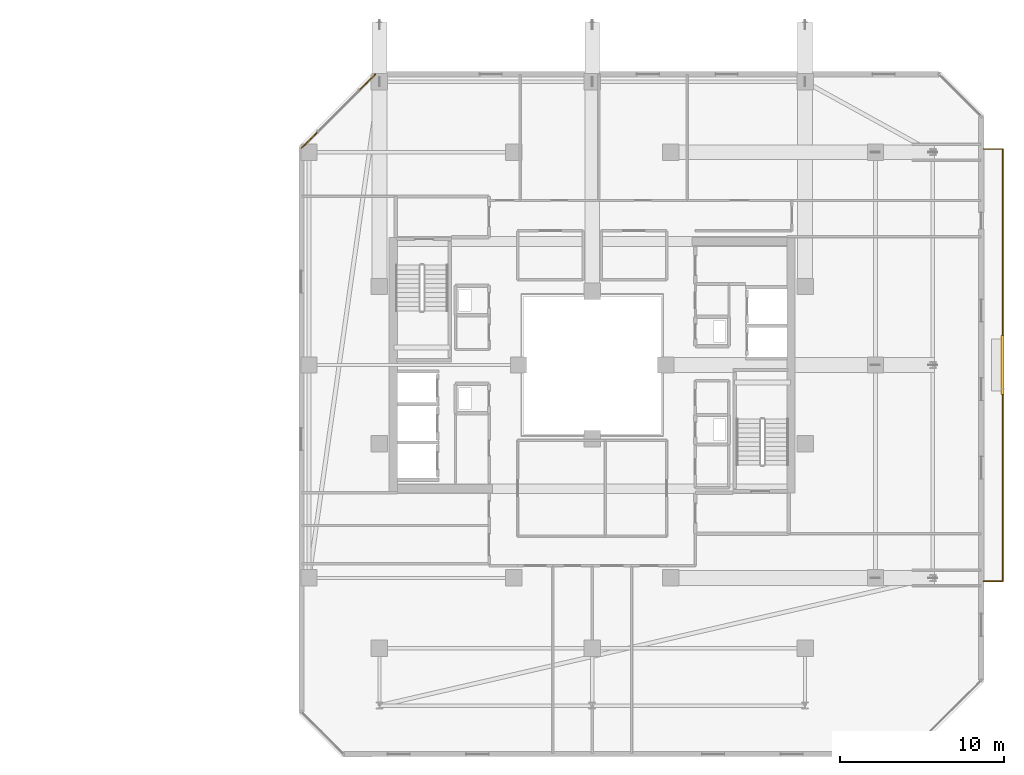
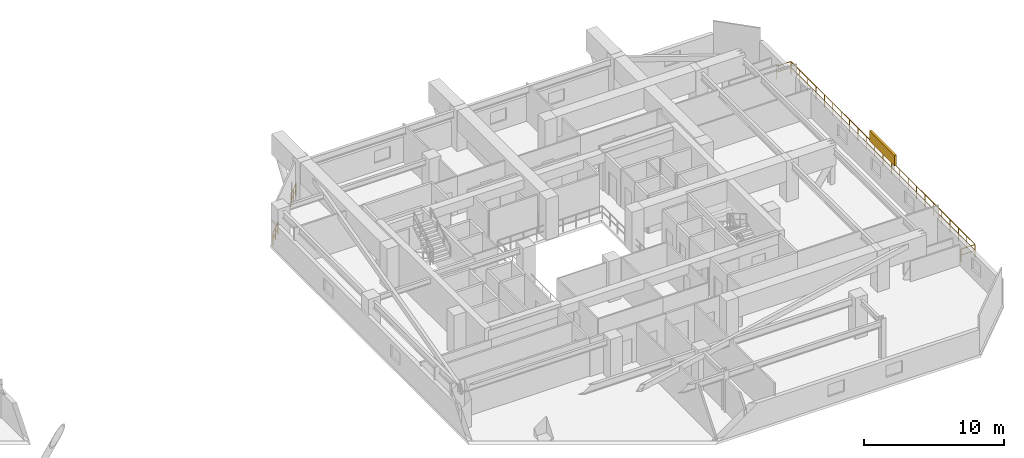
# One storey, part 34 of 34: 3 railings, 1 shading device.
"""IFC4 building model written with IfcOpenShell, lengths in metres."""

from ifc_helpers import new_model, si_unit, direction, frame, origin, origin_2d, place, context, subcontext, project, spatial, rectangle, extrude, material, type_object, element, save


model = new_model("IFC4")

# Units and contexts
model_context = context("Model", 3, precision=1e-05, world=origin(), true_north=direction((0.0, 1.0)))
body_context = subcontext(model_context, "Body", "Model", "MODEL_VIEW")
ifc_project = project(units=[si_unit("LENGTHUNIT", "METRE"), si_unit("AREAUNIT", "SQUARE_METRE"), si_unit("VOLUMEUNIT", "CUBIC_METRE"), si_unit("PLANEANGLEUNIT", "RADIAN"), si_unit("MASSUNIT", "GRAM", prefix="KILO")], contexts=[model_context])

# Site, building, storey
site_placement = place(None, origin())
site = spatial("IfcSite", under=ifc_project, at=site_placement, CompositionType="ELEMENT")
building_placement = place(site_placement, origin())
building = spatial("IfcBuilding", under=site, at=building_placement, Name="Thornwick Lancets Civic Towers", CompositionType="ELEMENT")
storey_placement = place(building_placement, frame((0.0, 0.0, 251.10009765625)))
storey = spatial("IfcBuildingStorey", under=building, at=storey_placement, Name="L67", CompositionType="ELEMENT", Elevation=251.10009765625)

# Railings
ifc_material_1 = material(Name="Terracotta-capped laminated glass balustrade S355", Category="masonry")
railing_type = type_object("IfcRailingType", Name="RAIL_TERR_GUARD", PredefinedType="GUARDRAIL", material=ifc_material_1)
for number, where, name in (
    (1, (75.2490234375, 44.75830078125, 0.0), "L67 Tower B Chamfer Spandrel Guard E5-1"),
    (2, (71.729248046875, 41.238525390625, 0.0), "L67 Tower B Chamfer Spandrel Guard E5-2"),
):
    element("IfcRailing", number, at=place(storey_placement, frame(where)), inside=storey, type_object=railing_type, Name=name, PredefinedType="GUARDRAIL", context=body_context, shape_type="SweptSolid", body=[
        extrude(rectangle(XDim=0.048095703125, YDim=0.048095703125, at=origin_2d()), frame((0.0, 0.0, 1.1259765625), z_axis=(-0.707106781187, -0.707106781187, 0.0), x_axis=(0.707106781187, -0.707106781187, 0.0)), (0.0, 0.0, 1.0), 1.396484375),
        extrude(rectangle(XDim=0.0419921875, YDim=0.0419921875, at=origin_2d()), frame((-0.026611328125, -0.026611328125, 0.597900390625), z_axis=(-0.707106781187, -0.707106781187, 0.0), x_axis=(0.707106781187, -0.707106781187, 0.0)), (0.0, 0.0, 1.0), 0.623291015625),
        extrude(rectangle(XDim=0.0419921875, YDim=0.0419921875, at=origin_2d()), frame((-0.520263671875, -0.520263671875, 0.597900390625), z_axis=(-0.707106781187, -0.707106781187, 0.0), x_axis=(0.707106781187, -0.707106781187, 0.0)), (0.0, 0.0, 1.0), 0.623291015625),
        extrude(rectangle(XDim=0.0419921875, YDim=0.0419921875, at=origin_2d()), origin(), (0.0, 0.0, 1.0), 1.095703125),
        extrude(rectangle(XDim=0.0419921875, YDim=0.0419921875, at=origin_2d()), frame((-0.49365234375, -0.49365234375, 0.0)), (0.0, 0.0, 1.0), 1.095703125),
        extrude(rectangle(XDim=0.0419921875, YDim=0.0419921875, at=origin_2d()), frame((-0.987548828125, -0.987548828125, 0.0)), (0.0, 0.0, 1.0), 1.095703125),
    ])
railing_placement = place(storey_placement, frame((112.39990234375, 13.800048828125, 0.0)))
element("IfcRailing", 3, at=railing_placement, inside=storey, type_object=railing_type, Name="L67 Tower B Balcony Guard E", PredefinedType="GUARDRAIL", context=body_context, shape_type="SweptSolid", body=[
    extrude(rectangle(XDim=0.048095703125, YDim=0.048095703125, at=origin_2d()), frame((0.0, 0.0, 1.1259765625), z_axis=(1.0, 0.0, 0.0), x_axis=(0.0, 1.0, 0.0)), (0.0, 0.0, 1.0), 1.138916015625),
    extrude(rectangle(XDim=0.0419921875, YDim=0.0419921875, at=origin_2d()), frame((0.03759765625, 0.0, 0.597900390625), z_axis=(1.0, 0.0, 0.0), x_axis=(0.0, 1.0, 0.0)), (0.0, 0.0, 1.0), 1.09521484375),
    extrude(rectangle(XDim=0.048095703125, YDim=0.048095703125, at=origin_2d()), frame((1.170166015625, 0.03125, 1.1259765625), z_axis=(0.0, 1.0, 0.0), x_axis=(-1.0, 0.0, 0.0)), (0.0, 0.0, 1.0), 26.33740234375),
    extrude(rectangle(XDim=0.0419921875, YDim=0.0419921875, at=origin_2d()), frame((1.170166015625, 0.03759765625, 0.597900390625), z_axis=(0.0, 1.0, 0.0), x_axis=(-1.0, 0.0, 0.0)), (0.0, 0.0, 1.0), 1.125),
    extrude(rectangle(XDim=0.0419921875, YDim=0.0419921875, at=origin_2d()), frame((1.170166015625, 1.237548828125, 0.597900390625), z_axis=(0.0, 1.0, 0.0), x_axis=(-1.0, 0.0, 0.0)), (0.0, 0.0, 1.0), 1.125),
    extrude(rectangle(XDim=0.0419921875, YDim=0.0419921875, at=origin_2d()), frame((1.170166015625, 2.4375, 0.597900390625), z_axis=(0.0, 1.0, 0.0), x_axis=(-1.0, 0.0, 0.0)), (0.0, 0.0, 1.0), 1.125),
    extrude(rectangle(XDim=0.0419921875, YDim=0.0419921875, at=origin_2d()), frame((1.170166015625, 3.637451171875, 0.597900390625), z_axis=(0.0, 1.0, 0.0), x_axis=(-1.0, 0.0, 0.0)), (0.0, 0.0, 1.0), 1.125),
    extrude(rectangle(XDim=0.0419921875, YDim=0.0419921875, at=origin_2d()), frame((1.170166015625, 4.83740234375, 0.597900390625), z_axis=(0.0, 1.0, 0.0), x_axis=(-1.0, 0.0, 0.0)), (0.0, 0.0, 1.0), 1.125),
    extrude(rectangle(XDim=0.0419921875, YDim=0.0419921875, at=origin_2d()), frame((1.170166015625, 6.037353515625, 0.597900390625), z_axis=(0.0, 1.0, 0.0), x_axis=(-1.0, 0.0, 0.0)), (0.0, 0.0, 1.0), 1.125),
    extrude(rectangle(XDim=0.0419921875, YDim=0.0419921875, at=origin_2d()), frame((1.170166015625, 7.237548828125, 0.597900390625), z_axis=(0.0, 1.0, 0.0), x_axis=(-1.0, 0.0, 0.0)), (0.0, 0.0, 1.0), 1.125),
    extrude(rectangle(XDim=0.0419921875, YDim=0.0419921875, at=origin_2d()), frame((1.170166015625, 8.4375, 0.597900390625), z_axis=(0.0, 1.0, 0.0), x_axis=(-1.0, 0.0, 0.0)), (0.0, 0.0, 1.0), 1.125),
    extrude(rectangle(XDim=0.0419921875, YDim=0.0419921875, at=origin_2d()), frame((1.170166015625, 9.637451171875, 0.597900390625), z_axis=(0.0, 1.0, 0.0), x_axis=(-1.0, 0.0, 0.0)), (0.0, 0.0, 1.0), 1.125),
    extrude(rectangle(XDim=0.0419921875, YDim=0.0419921875, at=origin_2d()), frame((1.170166015625, 10.83740234375, 0.597900390625), z_axis=(0.0, 1.0, 0.0), x_axis=(-1.0, 0.0, 0.0)), (0.0, 0.0, 1.0), 1.125),
    extrude(rectangle(XDim=0.0419921875, YDim=0.0419921875, at=origin_2d()), frame((1.170166015625, 12.037353515625, 0.597900390625), z_axis=(0.0, 1.0, 0.0), x_axis=(-1.0, 0.0, 0.0)), (0.0, 0.0, 1.0), 1.125),
    extrude(rectangle(XDim=0.0419921875, YDim=0.0419921875, at=origin_2d()), frame((1.170166015625, 13.237548828125, 0.597900390625), z_axis=(0.0, 1.0, 0.0), x_axis=(-1.0, 0.0, 0.0)), (0.0, 0.0, 1.0), 1.125),
    extrude(rectangle(XDim=0.0419921875, YDim=0.0419921875, at=origin_2d()), frame((1.170166015625, 14.4375, 0.597900390625), z_axis=(0.0, 1.0, 0.0), x_axis=(-1.0, 0.0, 0.0)), (0.0, 0.0, 1.0), 1.125),
    extrude(rectangle(XDim=0.0419921875, YDim=0.0419921875, at=origin_2d()), frame((1.170166015625, 15.637451171875, 0.597900390625), z_axis=(0.0, 1.0, 0.0), x_axis=(-1.0, 0.0, 0.0)), (0.0, 0.0, 1.0), 1.125),
    extrude(rectangle(XDim=0.0419921875, YDim=0.0419921875, at=origin_2d()), frame((1.170166015625, 16.83740234375, 0.597900390625), z_axis=(0.0, 1.0, 0.0), x_axis=(-1.0, 0.0, 0.0)), (0.0, 0.0, 1.0), 1.125),
    extrude(rectangle(XDim=0.0419921875, YDim=0.0419921875, at=origin_2d()), frame((1.170166015625, 18.037353515625, 0.597900390625), z_axis=(0.0, 1.0, 0.0), x_axis=(-1.0, 0.0, 0.0)), (0.0, 0.0, 1.0), 1.125),
    extrude(rectangle(XDim=0.0419921875, YDim=0.0419921875, at=origin_2d()), frame((1.170166015625, 19.2373046875, 0.597900390625), z_axis=(0.0, 1.0, 0.0), x_axis=(-1.0, 0.0, 0.0)), (0.0, 0.0, 1.0), 1.125),
    extrude(rectangle(XDim=0.0419921875, YDim=0.0419921875, at=origin_2d()), frame((1.170166015625, 20.4375, 0.597900390625), z_axis=(0.0, 1.0, 0.0), x_axis=(-1.0, 0.0, 0.0)), (0.0, 0.0, 1.0), 1.125),
    extrude(rectangle(XDim=0.0419921875, YDim=0.0419921875, at=origin_2d()), frame((1.170166015625, 21.637451171875, 0.597900390625), z_axis=(0.0, 1.0, 0.0), x_axis=(-1.0, 0.0, 0.0)), (0.0, 0.0, 1.0), 1.125),
    extrude(rectangle(XDim=0.0419921875, YDim=0.0419921875, at=origin_2d()), frame((1.170166015625, 22.83740234375, 0.597900390625), z_axis=(0.0, 1.0, 0.0), x_axis=(-1.0, 0.0, 0.0)), (0.0, 0.0, 1.0), 1.125),
    extrude(rectangle(XDim=0.0419921875, YDim=0.0419921875, at=origin_2d()), frame((1.170166015625, 24.037353515625, 0.597900390625), z_axis=(0.0, 1.0, 0.0), x_axis=(-1.0, 0.0, 0.0)), (0.0, 0.0, 1.0), 1.125),
    extrude(rectangle(XDim=0.0419921875, YDim=0.0419921875, at=origin_2d()), frame((1.170166015625, 25.2373046875, 0.597900390625), z_axis=(0.0, 1.0, 0.0), x_axis=(-1.0, 0.0, 0.0)), (0.0, 0.0, 1.0), 1.125),
    extrude(rectangle(XDim=0.048095703125, YDim=0.048095703125, at=origin_2d()), frame((1.138916015625, 26.39990234375, 1.1259765625), z_axis=(-1.0, 0.0, 0.0), x_axis=(0.0, -1.0, 0.0)), (0.0, 0.0, 1.0), 1.138916015625),
    extrude(rectangle(XDim=0.0419921875, YDim=0.0419921875, at=origin_2d()), frame((1.132568359375, 26.39990234375, 0.597900390625), z_axis=(-1.0, 0.0, 0.0), x_axis=(0.0, -1.0, 0.0)), (0.0, 0.0, 1.0), 1.09521484375),
    extrude(rectangle(XDim=0.0419921875, YDim=0.0419921875, at=origin_2d()), origin(), (0.0, 0.0, 1.0), 1.095703125),
    extrude(rectangle(XDim=0.0419921875, YDim=0.0419921875, at=origin_2d()), frame((1.170166015625, 0.0, 0.0)), (0.0, 0.0, 1.0), 1.095703125),
    extrude(rectangle(XDim=0.0419921875, YDim=0.0419921875, at=origin_2d()), frame((1.170166015625, 1.199951171875, 0.0)), (0.0, 0.0, 1.0), 1.095703125),
    extrude(rectangle(XDim=0.0419921875, YDim=0.0419921875, at=origin_2d()), frame((1.170166015625, 2.39990234375, 0.0)), (0.0, 0.0, 1.0), 1.095703125),
    extrude(rectangle(XDim=0.0419921875, YDim=0.0419921875, at=origin_2d()), frame((1.170166015625, 3.60009765625, 0.0)), (0.0, 0.0, 1.0), 1.095703125),
    extrude(rectangle(XDim=0.0419921875, YDim=0.0419921875, at=origin_2d()), frame((1.170166015625, 4.800048828125, 0.0)), (0.0, 0.0, 1.0), 1.095703125),
    extrude(rectangle(XDim=0.0419921875, YDim=0.0419921875, at=origin_2d()), frame((1.170166015625, 6.0, 0.0)), (0.0, 0.0, 1.0), 1.095703125),
    extrude(rectangle(XDim=0.0419921875, YDim=0.0419921875, at=origin_2d()), frame((1.170166015625, 7.199951171875, 0.0)), (0.0, 0.0, 1.0), 1.095703125),
    extrude(rectangle(XDim=0.0419921875, YDim=0.0419921875, at=origin_2d()), frame((1.170166015625, 8.39990234375, 0.0)), (0.0, 0.0, 1.0), 1.095703125),
    extrude(rectangle(XDim=0.0419921875, YDim=0.0419921875, at=origin_2d()), frame((1.170166015625, 9.599853515625, 0.0)), (0.0, 0.0, 1.0), 1.095703125),
    extrude(rectangle(XDim=0.0419921875, YDim=0.0419921875, at=origin_2d()), frame((1.170166015625, 10.800048828125, 0.0)), (0.0, 0.0, 1.0), 1.095703125),
    extrude(rectangle(XDim=0.0419921875, YDim=0.0419921875, at=origin_2d()), frame((1.170166015625, 12.0, 0.0)), (0.0, 0.0, 1.0), 1.095703125),
    extrude(rectangle(XDim=0.0419921875, YDim=0.0419921875, at=origin_2d()), frame((1.170166015625, 13.199951171875, 0.0)), (0.0, 0.0, 1.0), 1.095703125),
    extrude(rectangle(XDim=0.0419921875, YDim=0.0419921875, at=origin_2d()), frame((1.170166015625, 14.39990234375, 0.0)), (0.0, 0.0, 1.0), 1.095703125),
    extrude(rectangle(XDim=0.0419921875, YDim=0.0419921875, at=origin_2d()), frame((1.170166015625, 15.599853515625, 0.0)), (0.0, 0.0, 1.0), 1.095703125),
    extrude(rectangle(XDim=0.0419921875, YDim=0.0419921875, at=origin_2d()), frame((1.170166015625, 16.800048828125, 0.0)), (0.0, 0.0, 1.0), 1.095703125),
    extrude(rectangle(XDim=0.0419921875, YDim=0.0419921875, at=origin_2d()), frame((1.170166015625, 18.0, 0.0)), (0.0, 0.0, 1.0), 1.095703125),
    extrude(rectangle(XDim=0.0419921875, YDim=0.0419921875, at=origin_2d()), frame((1.170166015625, 19.199951171875, 0.0)), (0.0, 0.0, 1.0), 1.095703125),
    extrude(rectangle(XDim=0.0419921875, YDim=0.0419921875, at=origin_2d()), frame((1.170166015625, 20.39990234375, 0.0)), (0.0, 0.0, 1.0), 1.095703125),
    extrude(rectangle(XDim=0.0419921875, YDim=0.0419921875, at=origin_2d()), frame((1.170166015625, 21.599853515625, 0.0)), (0.0, 0.0, 1.0), 1.095703125),
    extrude(rectangle(XDim=0.0419921875, YDim=0.0419921875, at=origin_2d()), frame((1.170166015625, 22.7998046875, 0.0)), (0.0, 0.0, 1.0), 1.095703125),
    extrude(rectangle(XDim=0.0419921875, YDim=0.0419921875, at=origin_2d()), frame((1.170166015625, 24.0, 0.0)), (0.0, 0.0, 1.0), 1.095703125),
    extrude(rectangle(XDim=0.0419921875, YDim=0.0419921875, at=origin_2d()), frame((1.170166015625, 25.199951171875, 0.0)), (0.0, 0.0, 1.0), 1.095703125),
    extrude(rectangle(XDim=0.0419921875, YDim=0.0419921875, at=origin_2d()), frame((1.170166015625, 26.39990234375, 0.0)), (0.0, 0.0, 1.0), 1.095703125),
    extrude(rectangle(XDim=0.0419921875, YDim=0.0419921875, at=origin_2d()), frame((0.0, 26.39990234375, 0.0)), (0.0, 0.0, 1.0), 1.095703125),
])

# Shading device
ifc_material_2 = material(Name="Extruded terracotta baguette solar screen", Category="masonry")
shading_device_type = type_object("IfcShadingDeviceType", Name="SHADE_BAGUETTE", PredefinedType="JALOUSIE", material=ifc_material_2)
shading_device_placement = place(storey_placement, frame((113.56005859375, 27.0, 1.119873046875), z_axis=(0.0, 0.0, 1.0), x_axis=(0.0, 1.0, 0.0)))
element("IfcShadingDevice", 4, at=shading_device_placement, inside=storey, type_object=shading_device_type, Name="L67 Tower B Terracotta Baguette Screen E", PredefinedType="JALOUSIE", context=body_context, shape_type="SweptSolid", body=[
    extrude(rectangle(XDim=3.60009765625, YDim=0.179931640625, at=origin_2d()), origin(), (0.0, 0.0, 1.0), 0.89990234375),
])

save(model, "model.ifc")
